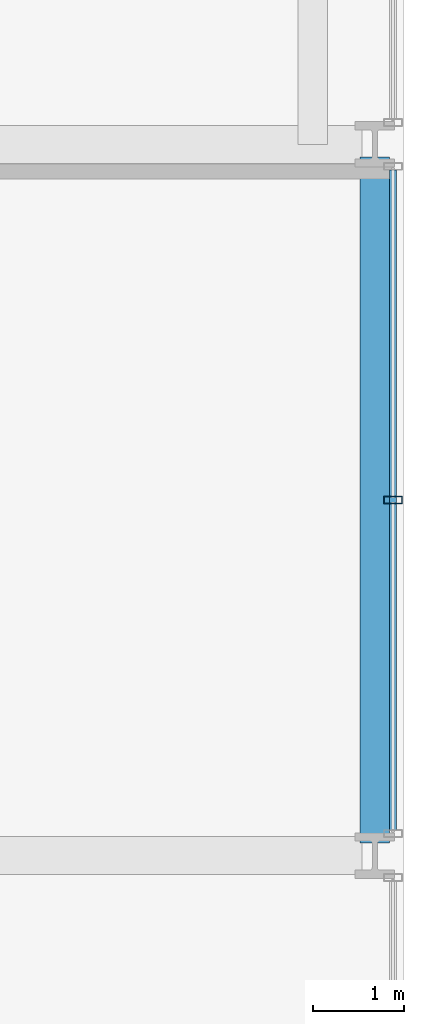
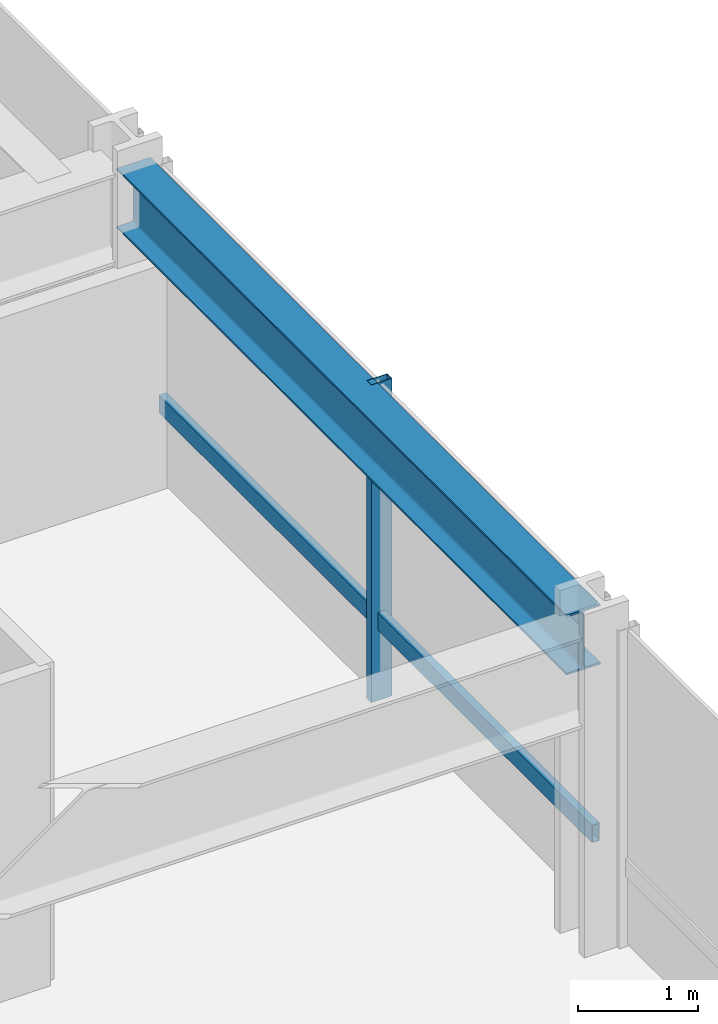
# One storey, part 14 of 39: 2 members, 1 beam, 1 element without a shape of its own.
"""IFC4 building model written with IfcOpenShell, lengths in metres."""

from ifc_helpers import new_model, si_unit, direction, frame, origin, origin_2d, place, context, subcontext, project, spatial, hollow_rectangle, i_section, extrude, material, layer, layer_set, material_profile, profile_set, type_object, element, aggregate, save


model = new_model("IFC4")

# Units and contexts
model_context = context("Model", 3, precision=1e-05, world=origin(), true_north=direction((0.0, 1.0)))
body_context = subcontext(model_context, "Body", "Model", "MODEL_VIEW")
ifc_project = project(units=[si_unit("LENGTHUNIT", "METRE"), si_unit("AREAUNIT", "SQUARE_METRE"), si_unit("VOLUMEUNIT", "CUBIC_METRE"), si_unit("PLANEANGLEUNIT", "RADIAN"), si_unit("MASSUNIT", "GRAM", prefix="KILO")], contexts=[model_context])

# Site, building, storey
site_placement = place(None, origin())
site = spatial("IfcSite", under=ifc_project, at=site_placement, CompositionType="ELEMENT")
building_placement = place(site_placement, origin())
building = spatial("IfcBuilding", under=site, at=building_placement, Name="Drelvath Grand Hotel", CompositionType="ELEMENT")
storey_placement = place(building_placement, frame((0.0, 0.0, 36.699951171875)))
storey = spatial("IfcBuildingStorey", under=building, at=storey_placement, Name="L07", CompositionType="ELEMENT", Elevation=36.699951171875)

# Curtain wall, members
ifc_material_1 = material(Name="Warm Bronze Anodised Aluminium Frame", Category="aluminium")
ifc_layer = layer(ifc_material_1, 0.199951171875)
ifc_layer_set = layer_set([ifc_layer], Name="Warm Bronze Anodised Aluminium Frame")
curtain_wall_type = type_object("IfcCurtainWallType", Name="Stick Curtain Wall CW-02 Warm Bronze Low-Rise", PredefinedType="NOTDEFINED", material=ifc_layer_set)
curtain_wall_placement = place(storey_placement, origin())
curtain_wall = element("IfcCurtainWall", 1, at=curtain_wall_placement, inside=storey, type_object=curtain_wall_type, Name="L07 CW-02 Curtain Wall CW02-L07-ES2", PredefinedType="NOTDEFINED")
ifc_material_profile_1 = material_profile(ifc_material_1, hollow_rectangle(XDim=0.074951171875, YDim=0.179931640625, WallThickness=0.0048828125, at=origin_2d()), Name="HSS180X75X5")
ifc_profile_set_1 = profile_set([ifc_material_profile_1], Name="Warm Bronze Anodised Aluminium Frame")
member_type_1 = type_object("IfcMemberType", Name="Curtain Wall Horizontal Transom CW-02 HSS180X75X5", PredefinedType="USERDEFINED", material=ifc_profile_set_1)
member_1_placement = place(storey_placement, frame((26.8798828125, 18.319091796875, 0.81005859375), z_axis=(0.0, -1.0, 0.0), x_axis=(1.0, 0.0, 0.0)))
member_1 = element("IfcMember", 2, at=member_1_placement, type_object=member_type_1, Name="CW02-L07-ES2 Sill Transom", ObjectType="TRANSOM", PredefinedType="USERDEFINED", context=body_context, shape_type="SweptSolid", body=[
    extrude(hollow_rectangle(XDim=0.074951171875, YDim=0.179931640625, WallThickness=0.0048828125, at=origin_2d()), origin(), (0.0, 0.0, 1.0), 7.23828125),
])
ifc_material_profile_2 = material_profile(ifc_material_1, hollow_rectangle(XDim=0.080078125, YDim=0.199951171875, WallThickness=0.0048828125, at=origin_2d()), Name="HSS200X80X5")
ifc_profile_set_2 = profile_set([ifc_material_profile_2], Name="Warm Bronze Anodised Aluminium Frame")
member_type_2 = type_object("IfcMemberType", Name="Curtain Wall Vertical Mullion CW-02 HSS200X80X5", PredefinedType="MULLION", material=ifc_profile_set_2)
member_2_placement = place(storey_placement, frame((26.8798828125, 14.699951171875, 0.0), z_axis=(0.0, 0.0, 1.0), x_axis=(0.0, 1.0, 0.0)))
member_2 = element("IfcMember", 3, at=member_2_placement, type_object=member_type_2, Name="CW02-L07-ES2 Mullion 2", PredefinedType="MULLION", context=body_context, shape_type="SweptSolid", body=[
    extrude(hollow_rectangle(XDim=0.080078125, YDim=0.199951171875, WallThickness=0.0048828125, at=origin_2d()), origin(), (0.0, 0.0, 1.0), 3.239990234375),
])
aggregate(curtain_wall, [member_2, member_1])

# Beam
ifc_material_2 = material(Name="Steel ASTM A992 Gr 50", Category="steel")
ifc_material_profile_3 = material_profile(ifc_material_2, i_section(OverallWidth=0.323974609375, OverallDepth=0.611083984375, WebThickness=0.0126953125, FlangeThickness=0.01904296875, FilletRadius=0.02197265625, at=origin_2d()), Name="W24X104")
ifc_profile_set_3 = profile_set([ifc_material_profile_3], Name="Steel ASTM A992 Gr 50")
beam_type = type_object("IfcBeamType", Name="Perimeter Spandrel Beam W24X104", PredefinedType="SPANDREL", material=ifc_profile_set_3)
beam_placement = place(storey_placement, frame((26.679931640625, 10.93994140625, 2.9345703125), z_axis=(0.0, 1.0, 0.0), x_axis=(-1.0, 0.0, 0.0)))
element("IfcBeam", 4, at=beam_placement, inside=storey, type_object=beam_type, Name="L07 Spandrel East S", PredefinedType="SPANDREL", context=body_context, shape_type="SweptSolid", body=[
    extrude(i_section(OverallWidth=0.323974609375, OverallDepth=0.611083984375, WebThickness=0.0126953125, FlangeThickness=0.01904296875, FilletRadius=0.02197265625, at=origin_2d()), origin(), (0.0, 0.0, 1.0), 7.52001953125),
])

save(model, "model.ifc")
